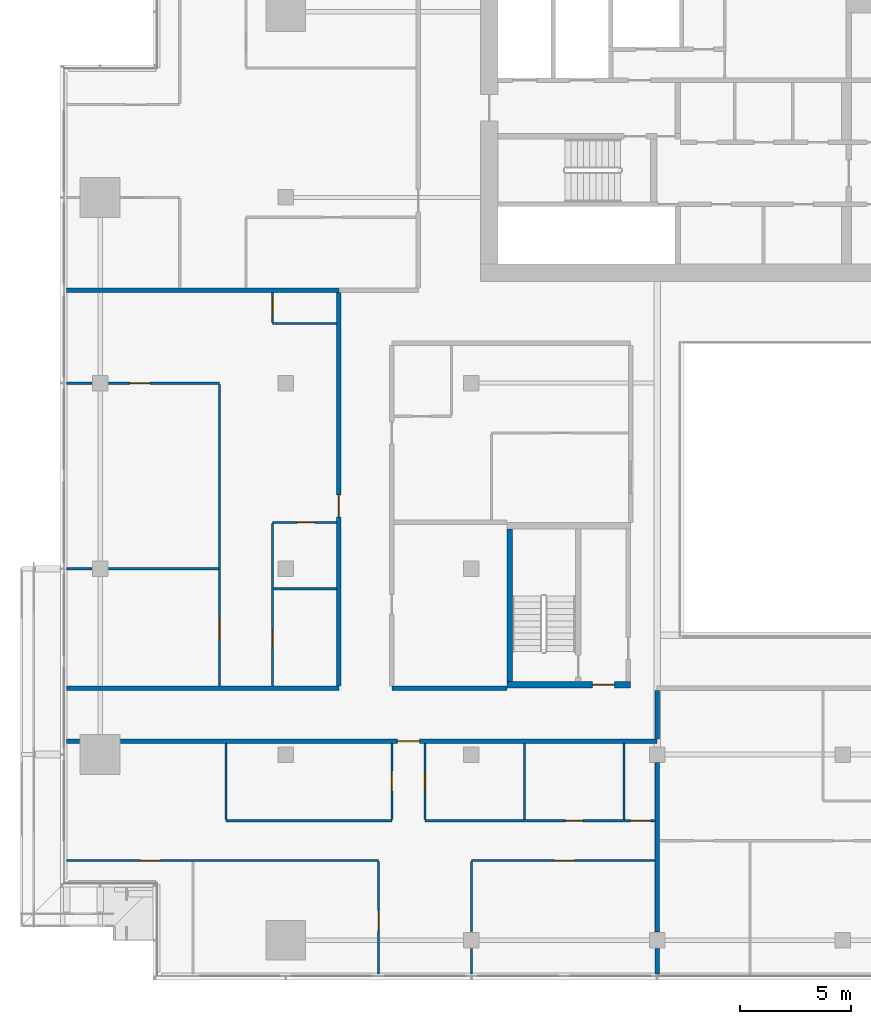
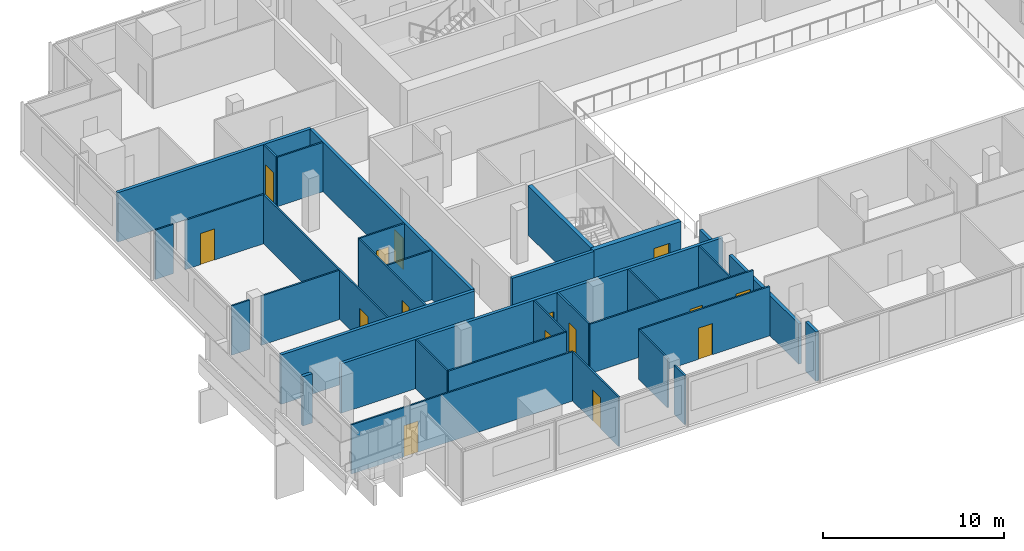
# One storey, part 16 of 29: 33 walls, 15 doors, 15 openings.
"""IFC4 building model written with IfcOpenShell, lengths in metres."""

from ifc_helpers import new_model, si_unit, direction, frame, frame_2d, origin, place, context, subcontext, project, spatial, rectangle, extrude, material, layer, layer_set, type_object, element, fill, save


model = new_model("IFC4")

# Units and contexts
model_context = context("Model", 3, precision=1e-05, world=origin(), true_north=direction((0.0, 1.0)))
body_context = subcontext(model_context, "Body", "Model", "MODEL_VIEW")
ifc_project = project(units=[si_unit("LENGTHUNIT", "METRE"), si_unit("AREAUNIT", "SQUARE_METRE"), si_unit("VOLUMEUNIT", "CUBIC_METRE"), si_unit("PLANEANGLEUNIT", "RADIAN"), si_unit("MASSUNIT", "GRAM", prefix="KILO")], contexts=[model_context])

# Site, building, storey
site_placement = place(None, origin())
site = spatial("IfcSite", under=ifc_project, at=site_placement, CompositionType="ELEMENT")
building_placement = place(site_placement, origin())
building = spatial("IfcBuilding", under=site, at=building_placement, Name="Saffron Gate Tower", CompositionType="ELEMENT")
storey_placement = place(building_placement, frame((0.0, 0.0, 187.050048828125)))
storey = spatial("IfcBuildingStorey", under=building, at=storey_placement, Name="L46", CompositionType="ELEMENT", Elevation=187.050048828125)

# Wall
ifc_material_1 = material(Name="Concrete C60", Category="concrete")
ifc_layer_1 = layer(ifc_material_1, 0.25)
ifc_layer_set_1 = layer_set([ifc_layer_1], Name="CW14 RC core wall 250 C60")
wall_type_1 = type_object("IfcWallType", Name="CW14 RC core wall 250 C60", PredefinedType="SOLIDWALL", material=ifc_layer_set_1)
wall_1_placement = place(storey_placement, frame((68.324951171875, 43.5, 0.0), z_axis=(0.0, 0.0, 1.0), x_axis=(0.0, 1.0, 0.0)))
element("IfcWall", 1, at=wall_1_placement, inside=storey, type_object=wall_type_1, Name="Wall CW14-L46-D-2", PredefinedType="SOLIDWALL", context=body_context, shape_type="SweptSolid", body=[
    extrude(rectangle(XDim=6.89990234375, YDim=0.25, at=frame_2d((3.449951171875, 0.0))), origin(), (0.0, 0.0, 1.0), 3.320068359375),
])

# Wall, opening, door
ifc_layer_2 = layer(ifc_material_1, 0.300048828125)
ifc_layer_set_2 = layer_set([ifc_layer_2], Name="CW17 RC core wall 300 C60")
wall_type_2 = type_object("IfcWallType", Name="CW17 RC core wall 300 C60", PredefinedType="SOLIDWALL", material=ifc_layer_set_2)
wall_2_placement = place(storey_placement, frame((68.199951171875, 43.35009765625, 0.0), z_axis=(0.0, 0.0, 1.0), x_axis=(1.0, 0.0, 0.0)))
wall_2 = element("IfcWall", 2, at=wall_2_placement, inside=storey, type_object=wall_type_2, Name="Wall CW17-L46-D-1", PredefinedType="SOLIDWALL", context=body_context, shape_type="SweptSolid", body=[
    extrude(rectangle(XDim=5.60009765625, YDim=0.300048828125, at=frame_2d((2.800048828125, 0.0))), origin(), (0.0, 0.0, 1.0), 3.320068359375),
])
opening_1_placement = place(wall_2_placement, frame((3.875, 0.0, 0.0)))
opening_1 = element("IfcOpeningElement", 3, at=opening_1_placement, cuts=wall_2, Name="Opening CR-18", PredefinedType="OPENING", context=body_context, shape_type="SweptSolid", body=[
    extrude(rectangle(XDim=1.0, YDim=2.10009765625, at=frame_2d((0.5, 1.050048828125))), frame((0.0, 0.16015625, 0.0), z_axis=(0.0, -1.0, 0.0), x_axis=(1.0, 0.0, 0.0)), (0.0, 0.0, 1.0), 0.320068359375),
])
ifc_material_2 = material(Name="Steel fire door set", Category="steel")
door_type_1 = type_object("IfcDoorType", Name="CD4 Lobby door 1000x2100 EI 120", OperationType="NOTDEFINED", PredefinedType="DOOR", material=ifc_material_2)
door_1_placement = place(opening_1_placement, origin())
door_1 = element("IfcDoor", 4, at=door_1_placement, inside=storey, type_object=door_type_1, Name="DOOR CR-18", OperationType="SINGLE_SWING_RIGHT", OverallHeight=2.10009765625, OverallWidth=1.0, PredefinedType="DOOR", context=body_context, shape_type="SweptSolid", body=[
    extrude(rectangle(XDim=1.0, YDim=2.10009765625, at=frame_2d((0.5, 1.050048828125))), frame((0.0, 0.02490234375, 0.0), z_axis=(0.0, -1.0, 0.0), x_axis=(1.0, 0.0, 0.0)), (0.0, 0.0, 1.0), 0.050048828125),
])
fill(opening_1, door_1)

ifc_material_3 = material(Name="Plasterboard on steel studs", Category="steel")
ifc_layer_3 = layer(ifc_material_3, 0.10009765625)
ifc_layer_set_3 = layer_set([ifc_layer_3], Name="PW1 Partition 100")
wall_type_3 = type_object("IfcWallType", Name="PW1 Partition 100", PredefinedType="PARTITIONING", material=ifc_layer_set_3)
wall_3_placement = place(storey_placement, frame((62.39990234375, 35.39990234375, 0.0), z_axis=(0.0, 0.0, 1.0), x_axis=(-1.0, 0.0, 0.0)))
wall_3 = element("IfcWall", 5, at=wall_3_placement, inside=storey, type_object=wall_type_3, Name="Partition C4-3", PredefinedType="PARTITIONING", context=body_context, shape_type="SweptSolid", body=[
    extrude(rectangle(XDim=14.119873046875, YDim=0.10009765625, at=frame_2d((7.06005859375, 0.0))), origin(), (0.0, 0.0, 1.0), 3.320068359375),
])
opening_2_placement = place(wall_3_placement, frame((9.87451171875, 0.0, 0.0)))
opening_2 = element("IfcOpeningElement", 6, at=opening_2_placement, cuts=wall_3, Name="Opening C4-10", PredefinedType="OPENING", context=body_context, shape_type="SweptSolid", body=[
    extrude(rectangle(XDim=0.89990234375, YDim=2.10009765625, at=frame_2d((0.449951171875, 1.050048828125))), frame((0.0, 0.06005859375, 0.0), z_axis=(0.0, -1.0, 0.0), x_axis=(1.0, 0.0, 0.0)), (0.0, 0.0, 1.0), 0.1201171875),
])
ifc_material_4 = material(Name="Timber door set", Category="wood")
door_type_2 = type_object("IfcDoorType", Name="RD1 Room door 900x2100", OperationType="NOTDEFINED", PredefinedType="DOOR", material=ifc_material_4)
door_2_placement = place(opening_2_placement, origin())
door_2 = element("IfcDoor", 7, at=door_2_placement, inside=storey, type_object=door_type_2, Name="Door C4-10", OperationType="SINGLE_SWING_LEFT", OverallHeight=2.10009765625, OverallWidth=0.89990234375, PredefinedType="DOOR", context=body_context, shape_type="SweptSolid", body=[
    extrude(rectangle(XDim=0.89990234375, YDim=2.10009765625, at=frame_2d((0.449951171875, 1.050048828125))), frame((0.0, 0.02490234375, 0.0), z_axis=(0.0, -1.0, 0.0), x_axis=(1.0, 0.0, 0.0)), (0.0, 0.0, 1.0), 0.050048828125),
])
fill(opening_2, door_2)

wall_4_placement = place(storey_placement, frame((74.89990234375, 35.39990234375, 0.0), z_axis=(0.0, 0.0, 1.0), x_axis=(-1.0, 0.0, 0.0)))
wall_4 = element("IfcWall", 8, at=wall_4_placement, inside=storey, type_object=wall_type_3, Name="Partition C4-4", PredefinedType="PARTITIONING", context=body_context, shape_type="SweptSolid", body=[
    extrude(rectangle(XDim=8.2998046875, YDim=0.10009765625, at=frame_2d((4.14990234375, 0.0))), origin(), (0.0, 0.0, 1.0), 3.320068359375),
])
opening_3_placement = place(wall_4_placement, frame((3.64990234375, 0.0, 0.0)))
opening_3 = element("IfcOpeningElement", 9, at=opening_3_placement, cuts=wall_4, Name="Opening C4-12", PredefinedType="OPENING", context=body_context, shape_type="SweptSolid", body=[
    extrude(rectangle(XDim=0.89990234375, YDim=2.10009765625, at=frame_2d((0.449951171875, 1.050048828125))), frame((0.0, 0.06005859375, 0.0), z_axis=(0.0, -1.0, 0.0), x_axis=(1.0, 0.0, 0.0)), (0.0, 0.0, 1.0), 0.1201171875),
])
door_3_placement = place(opening_3_placement, origin())
door_3 = element("IfcDoor", 10, at=door_3_placement, inside=storey, type_object=door_type_2, Name="Door C4-12", OperationType="SINGLE_SWING_LEFT", OverallHeight=2.10009765625, OverallWidth=0.89990234375, PredefinedType="DOOR", context=body_context, shape_type="SweptSolid", body=[
    extrude(rectangle(XDim=0.89990234375, YDim=2.10009765625, at=frame_2d((0.449951171875, 1.050048828125))), frame((0.0, 0.02490234375, 0.0), z_axis=(0.0, -1.0, 0.0), x_axis=(1.0, 0.0, 0.0)), (0.0, 0.0, 1.0), 0.050048828125),
])
fill(opening_3, door_3)

# Wall
wall_5_placement = place(storey_placement, frame((55.5, 37.199951171875, 0.0), z_axis=(0.0, 0.0, 1.0), x_axis=(1.0, 0.0, 0.0)))
element("IfcWall", 11, at=wall_5_placement, inside=storey, type_object=wall_type_3, Name="Partition C4-8", PredefinedType="PARTITIONING", context=body_context, shape_type="SweptSolid", body=[
    extrude(rectangle(XDim=7.5, YDim=0.10009765625, at=frame_2d((3.75, 0.0))), origin(), (0.0, 0.0, 1.0), 3.320068359375),
])

# Wall, openings, doors
wall_6_placement = place(storey_placement, frame((64.5, 37.199951171875, 0.0), z_axis=(0.0, 0.0, 1.0), x_axis=(1.0, 0.0, 0.0)))
wall_6 = element("IfcWall", 12, at=wall_6_placement, inside=storey, type_object=wall_type_3, Name="Partition C4-9", PredefinedType="PARTITIONING", context=body_context, shape_type="SweptSolid", body=[
    extrude(rectangle(XDim=10.39990234375, YDim=0.10009765625, at=frame_2d((5.199951171875, 0.0))), origin(), (0.0, 0.0, 1.0), 3.320068359375),
])
opening_4_placement = place(wall_6_placement, frame((6.35009765625, 0.0, 0.0)))
opening_4 = element("IfcOpeningElement", 13, at=opening_4_placement, cuts=wall_6, Name="Opening C4-41", PredefinedType="OPENING", context=body_context, shape_type="SweptSolid", body=[
    extrude(rectangle(XDim=0.800048828125, YDim=2.10009765625, at=frame_2d((0.39990234375, 1.050048828125))), frame((0.0, 0.06005859375, 0.0), z_axis=(0.0, -1.0, 0.0), x_axis=(1.0, 0.0, 0.0)), (0.0, 0.0, 1.0), 0.1201171875),
])
opening_5_placement = place(wall_6_placement, frame((9.300048828125, 0.0, 0.0)))
opening_5 = element("IfcOpeningElement", 14, at=opening_5_placement, cuts=wall_6, Name="Opening C4-14", PredefinedType="OPENING", context=body_context, shape_type="SweptSolid", body=[
    extrude(rectangle(XDim=0.89990234375, YDim=2.10009765625, at=frame_2d((0.449951171875, 1.050048828125))), frame((0.0, 0.06005859375, 0.0), z_axis=(0.0, -1.0, 0.0), x_axis=(1.0, 0.0, 0.0)), (0.0, 0.0, 1.0), 0.1201171875),
])
door_4_placement = place(opening_5_placement, origin())
door_4 = element("IfcDoor", 15, at=door_4_placement, inside=storey, type_object=door_type_2, Name="Door C4-14", OperationType="SINGLE_SWING_RIGHT", OverallHeight=2.10009765625, OverallWidth=0.89990234375, PredefinedType="DOOR", context=body_context, shape_type="SweptSolid", body=[
    extrude(rectangle(XDim=0.89990234375, YDim=2.10009765625, at=frame_2d((0.449951171875, 1.050048828125))), frame((0.0, 0.02490234375, 0.0), z_axis=(0.0, -1.0, 0.0), x_axis=(1.0, 0.0, 0.0)), (0.0, 0.0, 1.0), 0.050048828125),
])
fill(opening_5, door_4)
door_type_3 = type_object("IfcDoorType", Name="RD2 Bathroom door 800x2100", OperationType="NOTDEFINED", PredefinedType="DOOR", material=ifc_material_4)
door_5_placement = place(opening_4_placement, origin())
door_5 = element("IfcDoor", 16, at=door_5_placement, inside=storey, type_object=door_type_3, Name="Door C4-41", OperationType="SINGLE_SWING_LEFT", OverallHeight=2.10009765625, OverallWidth=0.800048828125, PredefinedType="DOOR", context=body_context, shape_type="SweptSolid", body=[
    extrude(rectangle(XDim=0.800048828125, YDim=2.10009765625, at=frame_2d((0.39990234375, 1.050048828125))), frame((0.0, 0.02490234375, 0.0), z_axis=(0.0, -1.0, 0.0), x_axis=(1.0, 0.0, 0.0)), (0.0, 0.0, 1.0), 0.050048828125),
])
fill(opening_4, door_5)

# Walls
wall_7_placement = place(storey_placement, frame((57.64990234375, 47.699951171875, 0.0), z_axis=(0.0, 0.0, 1.0), x_axis=(1.0, 0.0, 0.0)))
element("IfcWall", 17, at=wall_7_placement, inside=storey, type_object=wall_type_3, Name="Partition C4-21", PredefinedType="PARTITIONING", context=body_context, shape_type="SweptSolid", body=[
    extrude(rectangle(XDim=2.85009765625, YDim=0.10009765625, at=frame_2d((1.425048828125, 0.0))), origin(), (0.0, 0.0, 1.0), 3.320068359375),
])
wall_8_placement = place(storey_placement, frame((48.280029296875, 48.60009765625, 0.0), z_axis=(0.0, 0.0, 1.0), x_axis=(1.0, 0.0, 0.0)))
element("IfcWall", 18, at=wall_8_placement, inside=storey, type_object=wall_type_3, Name="Partition C4-22", PredefinedType="PARTITIONING", context=body_context, shape_type="SweptSolid", body=[
    extrude(rectangle(XDim=1.14990234375, YDim=0.10009765625, at=frame_2d((0.574951171875, 0.0))), origin(), (0.0, 0.0, 1.0), 3.320068359375),
])
wall_9_placement = place(storey_placement, frame((50.169921875, 48.60009765625, 0.0), z_axis=(0.0, 0.0, 1.0), x_axis=(1.0, 0.0, 0.0)))
element("IfcWall", 19, at=wall_9_placement, inside=storey, type_object=wall_type_3, Name="Partition C4-23", PredefinedType="PARTITIONING", context=body_context, shape_type="SweptSolid", body=[
    extrude(rectangle(XDim=4.97998046875, YDim=0.10009765625, at=frame_2d((2.489990234375, 0.0))), origin(), (0.0, 0.0, 1.0), 3.320068359375),
])

# Wall, opening, door
wall_10_placement = place(storey_placement, frame((60.5, 50.699951171875, 0.0), z_axis=(0.0, 0.0, 1.0), x_axis=(-1.0, 0.0, 0.0)))
wall_10 = element("IfcWall", 20, at=wall_10_placement, inside=storey, type_object=wall_type_3, Name="Partition C4-29", PredefinedType="PARTITIONING", context=body_context, shape_type="SweptSolid", body=[
    extrude(rectangle(XDim=2.89990234375, YDim=0.10009765625, at=frame_2d((1.449951171875, 0.0))), origin(), (0.0, 0.0, 1.0), 3.320068359375),
])
opening_6_placement = place(wall_10_placement, frame((1.0, 0.0, 0.0)))
opening_6 = element("IfcOpeningElement", 21, at=opening_6_placement, cuts=wall_10, Name="Opening C4-47", PredefinedType="OPENING", context=body_context, shape_type="SweptSolid", body=[
    extrude(rectangle(XDim=0.800048828125, YDim=2.10009765625, at=frame_2d((0.39990234375, 1.050048828125))), frame((0.0, 0.06005859375, 0.0), z_axis=(0.0, -1.0, 0.0), x_axis=(1.0, 0.0, 0.0)), (0.0, 0.0, 1.0), 0.1201171875),
])
door_6_placement = place(opening_6_placement, origin())
door_6 = element("IfcDoor", 22, at=door_6_placement, inside=storey, type_object=door_type_3, Name="Door C4-47", OperationType="SINGLE_SWING_LEFT", OverallHeight=2.10009765625, OverallWidth=0.800048828125, PredefinedType="DOOR", context=body_context, shape_type="SweptSolid", body=[
    extrude(rectangle(XDim=0.800048828125, YDim=2.10009765625, at=frame_2d((0.39990234375, 1.050048828125))), frame((0.0, 0.02490234375, 0.0), z_axis=(0.0, -1.0, 0.0), x_axis=(1.0, 0.0, 0.0)), (0.0, 0.0, 1.0), 0.050048828125),
])
fill(opening_6, door_6)

# Wall
wall_11_placement = place(storey_placement, frame((48.280029296875, 57.0, 0.0), z_axis=(0.0, 0.0, 1.0), x_axis=(1.0, 0.0, 0.0)))
element("IfcWall", 23, at=wall_11_placement, inside=storey, type_object=wall_type_3, Name="Partition C4-37", PredefinedType="PARTITIONING", context=body_context, shape_type="SweptSolid", body=[
    extrude(rectangle(XDim=1.14990234375, YDim=0.10009765625, at=frame_2d((0.574951171875, 0.0))), origin(), (0.0, 0.0, 1.0), 3.320068359375),
])

# Wall, opening, door
wall_12_placement = place(storey_placement, frame((55.199951171875, 57.0, 0.0), z_axis=(0.0, 0.0, 1.0), x_axis=(-1.0, 0.0, 0.0)))
wall_12 = element("IfcWall", 24, at=wall_12_placement, inside=storey, type_object=wall_type_3, Name="Partition C4-38", PredefinedType="PARTITIONING", context=body_context, shape_type="SweptSolid", body=[
    extrude(rectangle(XDim=5.030029296875, YDim=0.10009765625, at=frame_2d((2.51513671875, 0.0))), origin(), (0.0, 0.0, 1.0), 3.320068359375),
])
opening_7_placement = place(wall_12_placement, frame((3.14990234375, 0.0, 0.0)))
opening_7 = element("IfcOpeningElement", 25, at=opening_7_placement, cuts=wall_12, Name="Opening C4-27", PredefinedType="OPENING", context=body_context, shape_type="SweptSolid", body=[
    extrude(rectangle(XDim=0.89990234375, YDim=2.10009765625, at=frame_2d((0.449951171875, 1.050048828125))), frame((0.0, 0.06005859375, 0.0), z_axis=(0.0, -1.0, 0.0), x_axis=(1.0, 0.0, 0.0)), (0.0, 0.0, 1.0), 0.1201171875),
])
door_7_placement = place(opening_7_placement, origin())
door_7 = element("IfcDoor", 26, at=door_7_placement, inside=storey, type_object=door_type_2, Name="Door C4-27", OperationType="SINGLE_SWING_RIGHT", OverallHeight=2.10009765625, OverallWidth=0.89990234375, PredefinedType="DOOR", context=body_context, shape_type="SweptSolid", body=[
    extrude(rectangle(XDim=0.89990234375, YDim=2.10009765625, at=frame_2d((0.449951171875, 1.050048828125))), frame((0.0, 0.02490234375, 0.0), z_axis=(0.0, -1.0, 0.0), x_axis=(1.0, 0.0, 0.0)), (0.0, 0.0, 1.0), 0.050048828125),
])
fill(opening_7, door_7)

# Wall
wall_13_placement = place(storey_placement, frame((57.60009765625, 59.699951171875, 0.0), z_axis=(0.0, 0.0, 1.0), x_axis=(1.0, 0.0, 0.0)))
element("IfcWall", 27, at=wall_13_placement, inside=storey, type_object=wall_type_3, Name="Partition C4-42", PredefinedType="PARTITIONING", context=body_context, shape_type="SweptSolid", body=[
    extrude(rectangle(XDim=2.89990234375, YDim=0.10009765625, at=frame_2d((1.449951171875, 0.0))), origin(), (0.0, 0.0, 1.0), 3.320068359375),
])

# Wall, opening, door
wall_14_placement = place(storey_placement, frame((55.199951171875, 43.300048828125, 0.0), z_axis=(0.0, 0.0, 1.0), x_axis=(0.0, 1.0, 0.0)))
wall_14 = element("IfcWall", 28, at=wall_14_placement, inside=storey, type_object=wall_type_3, Name="Partition C4-60", PredefinedType="PARTITIONING", context=body_context, shape_type="SweptSolid", body=[
    extrude(rectangle(XDim=13.64990234375, YDim=0.10009765625, at=frame_2d((6.824951171875, 0.0))), origin(), (0.0, 0.0, 1.0), 3.320068359375),
])
opening_8_placement = place(wall_14_placement, frame((2.14990234375, 0.0, 0.0)))
opening_8 = element("IfcOpeningElement", 29, at=opening_8_placement, cuts=wall_14, Name="Opening C4-26", PredefinedType="OPENING", context=body_context, shape_type="SweptSolid", body=[
    extrude(rectangle(XDim=0.89990234375, YDim=2.10009765625, at=frame_2d((0.449951171875, 1.050048828125))), frame((0.0, 0.06005859375, 0.0), z_axis=(0.0, -1.0, 0.0), x_axis=(1.0, 0.0, 0.0)), (0.0, 0.0, 1.0), 0.1201171875),
])
door_8_placement = place(opening_8_placement, origin())
door_8 = element("IfcDoor", 30, at=door_8_placement, inside=storey, type_object=door_type_2, Name="Door C4-26", OperationType="SINGLE_SWING_LEFT", OverallHeight=2.10009765625, OverallWidth=0.89990234375, PredefinedType="DOOR", context=body_context, shape_type="SweptSolid", body=[
    extrude(rectangle(XDim=0.89990234375, YDim=2.10009765625, at=frame_2d((0.449951171875, 1.050048828125))), frame((0.0, 0.02490234375, 0.0), z_axis=(0.0, -1.0, 0.0), x_axis=(1.0, 0.0, 0.0)), (0.0, 0.0, 1.0), 0.050048828125),
])
fill(opening_8, door_8)

# Wall
wall_15_placement = place(storey_placement, frame((55.5, 40.699951171875, 0.0), z_axis=(0.0, 0.0, 1.0), x_axis=(0.0, -1.0, 0.0)))
element("IfcWall", 31, at=wall_15_placement, inside=storey, type_object=wall_type_3, Name="Partition C4-61", PredefinedType="PARTITIONING", context=body_context, shape_type="SweptSolid", body=[
    extrude(rectangle(XDim=3.449951171875, YDim=0.10009765625, at=frame_2d((1.72509765625, 0.0))), origin(), (0.0, 0.0, 1.0), 3.320068359375),
])

# Wall, opening, door
wall_16_placement = place(storey_placement, frame((57.60009765625, 50.64990234375, 0.0), z_axis=(0.0, 0.0, 1.0), x_axis=(0.0, -1.0, 0.0)))
wall_16 = element("IfcWall", 32, at=wall_16_placement, inside=storey, type_object=wall_type_3, Name="Partition C4-64", PredefinedType="PARTITIONING", context=body_context, shape_type="SweptSolid", body=[
    extrude(rectangle(XDim=7.349853515625, YDim=0.10009765625, at=frame_2d((3.6748046875, 0.0))), origin(), (0.0, 0.0, 1.0), 3.320068359375),
])
opening_9_placement = place(wall_16_placement, frame((4.800048828125, 0.0, 0.0)))
opening_9 = element("IfcOpeningElement", 33, at=opening_9_placement, cuts=wall_16, Name="Opening C4-46", PredefinedType="OPENING", context=body_context, shape_type="SweptSolid", body=[
    extrude(rectangle(XDim=0.800048828125, YDim=2.10009765625, at=frame_2d((0.39990234375, 1.050048828125))), frame((0.0, 0.06005859375, 0.0), z_axis=(0.0, -1.0, 0.0), x_axis=(1.0, 0.0, 0.0)), (0.0, 0.0, 1.0), 0.1201171875),
])
door_9_placement = place(opening_9_placement, origin())
door_9 = element("IfcDoor", 34, at=door_9_placement, inside=storey, type_object=door_type_3, Name="Door C4-46", OperationType="SINGLE_SWING_RIGHT", OverallHeight=2.10009765625, OverallWidth=0.800048828125, PredefinedType="DOOR", context=body_context, shape_type="SweptSolid", body=[
    extrude(rectangle(XDim=0.800048828125, YDim=2.10009765625, at=frame_2d((0.39990234375, 1.050048828125))), frame((0.0, 0.02490234375, 0.0), z_axis=(0.0, -1.0, 0.0), x_axis=(1.0, 0.0, 0.0)), (0.0, 0.0, 1.0), 0.050048828125),
])
fill(opening_9, door_9)

wall_17_placement = place(storey_placement, frame((57.60009765625, 61.10009765625, 0.0), z_axis=(0.0, 0.0, 1.0), x_axis=(0.0, -1.0, 0.0)))
wall_17 = element("IfcWall", 35, at=wall_17_placement, inside=storey, type_object=wall_type_3, Name="Partition C4-65", PredefinedType="PARTITIONING", context=body_context, shape_type="SweptSolid", body=[
    extrude(rectangle(XDim=1.35009765625, YDim=0.10009765625, at=frame_2d((0.675048828125, 0.0))), origin(), (0.0, 0.0, 1.0), 3.320068359375),
])
opening_10_placement = place(wall_17_placement, frame((0.199951171875, 0.0, 0.0)))
opening_10 = element("IfcOpeningElement", 36, at=opening_10_placement, cuts=wall_17, Name="Opening C4-28", PredefinedType="OPENING", context=body_context, shape_type="SweptSolid", body=[
    extrude(rectangle(XDim=0.89990234375, YDim=2.10009765625, at=frame_2d((0.449951171875, 1.050048828125))), frame((0.0, 0.06005859375, 0.0), z_axis=(0.0, -1.0, 0.0), x_axis=(1.0, 0.0, 0.0)), (0.0, 0.0, 1.0), 0.1201171875),
])
door_10_placement = place(opening_10_placement, origin())
door_10 = element("IfcDoor", 37, at=door_10_placement, inside=storey, type_object=door_type_2, Name="Door C4-28", OperationType="SINGLE_SWING_LEFT", OverallHeight=2.10009765625, OverallWidth=0.89990234375, PredefinedType="DOOR", context=body_context, shape_type="SweptSolid", body=[
    extrude(rectangle(XDim=0.89990234375, YDim=2.10009765625, at=frame_2d((0.449951171875, 1.050048828125))), frame((0.0, 0.02490234375, 0.0), z_axis=(0.0, -1.0, 0.0), x_axis=(1.0, 0.0, 0.0)), (0.0, 0.0, 1.0), 0.050048828125),
])
fill(opening_10, door_10)

wall_18_placement = place(storey_placement, frame((62.39990234375, 30.280029296875, 0.0), z_axis=(0.0, 0.0, 1.0), x_axis=(0.0, 1.0, 0.0)))
wall_18 = element("IfcWall", 38, at=wall_18_placement, inside=storey, type_object=wall_type_3, Name="Partition C4-67", PredefinedType="PARTITIONING", context=body_context, shape_type="SweptSolid", body=[
    extrude(rectangle(XDim=5.070068359375, YDim=0.10009765625, at=frame_2d((2.53515625, 0.0))), origin(), (0.0, 0.0, 1.0), 3.320068359375),
])
opening_11_placement = place(wall_18_placement, frame((1.969970703125, 0.0, 0.0)))
opening_11 = element("IfcOpeningElement", 39, at=opening_11_placement, cuts=wall_18, Name="Opening C4-11", PredefinedType="OPENING", context=body_context, shape_type="SweptSolid", body=[
    extrude(rectangle(XDim=0.89990234375, YDim=2.10009765625, at=frame_2d((0.449951171875, 1.050048828125))), frame((0.0, 0.06005859375, 0.0), z_axis=(0.0, -1.0, 0.0), x_axis=(1.0, 0.0, 0.0)), (0.0, 0.0, 1.0), 0.1201171875),
])
door_11_placement = place(opening_11_placement, origin())
door_11 = element("IfcDoor", 40, at=door_11_placement, inside=storey, type_object=door_type_2, Name="Door C4-11", OperationType="SINGLE_SWING_LEFT", OverallHeight=2.10009765625, OverallWidth=0.89990234375, PredefinedType="DOOR", context=body_context, shape_type="SweptSolid", body=[
    extrude(rectangle(XDim=0.89990234375, YDim=2.10009765625, at=frame_2d((0.449951171875, 1.050048828125))), frame((0.0, 0.02490234375, 0.0), z_axis=(0.0, -1.0, 0.0), x_axis=(1.0, 0.0, 0.0)), (0.0, 0.0, 1.0), 0.050048828125),
])
fill(opening_11, door_11)

wall_19_placement = place(storey_placement, frame((63.0, 37.25, 0.0), z_axis=(0.0, 0.0, 1.0), x_axis=(0.0, 1.0, 0.0)))
wall_19 = element("IfcWall", 41, at=wall_19_placement, inside=storey, type_object=wall_type_3, Name="Partition C4-69", PredefinedType="PARTITIONING", context=body_context, shape_type="SweptSolid", body=[
    extrude(rectangle(XDim=3.449951171875, YDim=0.10009765625, at=frame_2d((1.72509765625, 0.0))), origin(), (0.0, 0.0, 1.0), 3.320068359375),
])
opening_12_placement = place(wall_19_placement, frame((1.300048828125, 0.0, 0.0)))
opening_12 = element("IfcOpeningElement", 42, at=opening_12_placement, cuts=wall_19, Name="Opening C4-13", PredefinedType="OPENING", context=body_context, shape_type="SweptSolid", body=[
    extrude(rectangle(XDim=0.89990234375, YDim=2.10009765625, at=frame_2d((0.449951171875, 1.050048828125))), frame((0.0, 0.06005859375, 0.0), z_axis=(0.0, -1.0, 0.0), x_axis=(1.0, 0.0, 0.0)), (0.0, 0.0, 1.0), 0.1201171875),
])
door_12_placement = place(opening_12_placement, origin())
door_12 = element("IfcDoor", 43, at=door_12_placement, inside=storey, type_object=door_type_2, Name="Door C4-13", OperationType="SINGLE_SWING_RIGHT", OverallHeight=2.10009765625, OverallWidth=0.89990234375, PredefinedType="DOOR", context=body_context, shape_type="SweptSolid", body=[
    extrude(rectangle(XDim=0.89990234375, YDim=2.10009765625, at=frame_2d((0.449951171875, 1.050048828125))), frame((0.0, 0.02490234375, 0.0), z_axis=(0.0, -1.0, 0.0), x_axis=(1.0, 0.0, 0.0)), (0.0, 0.0, 1.0), 0.050048828125),
])
fill(opening_12, door_12)

wall_20_placement = place(storey_placement, frame((64.5, 40.699951171875, 0.0), z_axis=(0.0, 0.0, 1.0), x_axis=(0.0, -1.0, 0.0)))
wall_20 = element("IfcWall", 44, at=wall_20_placement, inside=storey, type_object=wall_type_3, Name="Partition C4-71", PredefinedType="PARTITIONING", context=body_context, shape_type="SweptSolid", body=[
    extrude(rectangle(XDim=3.449951171875, YDim=0.10009765625, at=frame_2d((1.72509765625, 0.0))), origin(), (0.0, 0.0, 1.0), 3.320068359375),
])
opening_13_placement = place(wall_20_placement, frame((1.300048828125, 0.0, 0.0)))
opening_13 = element("IfcOpeningElement", 45, at=opening_13_placement, cuts=wall_20, Name="Opening C4-40", PredefinedType="OPENING", context=body_context, shape_type="SweptSolid", body=[
    extrude(rectangle(XDim=0.800048828125, YDim=2.10009765625, at=frame_2d((0.39990234375, 1.050048828125))), frame((0.0, 0.06005859375, 0.0), z_axis=(0.0, -1.0, 0.0), x_axis=(1.0, 0.0, 0.0)), (0.0, 0.0, 1.0), 0.1201171875),
])
door_13_placement = place(opening_13_placement, origin())
door_13 = element("IfcDoor", 46, at=door_13_placement, inside=storey, type_object=door_type_3, Name="Door C4-40", OperationType="SINGLE_SWING_LEFT", OverallHeight=2.10009765625, OverallWidth=0.800048828125, PredefinedType="DOOR", context=body_context, shape_type="SweptSolid", body=[
    extrude(rectangle(XDim=0.800048828125, YDim=2.10009765625, at=frame_2d((0.39990234375, 1.050048828125))), frame((0.0, 0.02490234375, 0.0), z_axis=(0.0, -1.0, 0.0), x_axis=(1.0, 0.0, 0.0)), (0.0, 0.0, 1.0), 0.050048828125),
])
fill(opening_13, door_13)

# Walls
wall_21_placement = place(storey_placement, frame((66.60009765625, 31.429931640625, 0.0), z_axis=(0.0, 0.0, 1.0), x_axis=(0.0, -1.0, 0.0)))
element("IfcWall", 47, at=wall_21_placement, inside=storey, type_object=wall_type_3, Name="Partition C4-73", PredefinedType="PARTITIONING", context=body_context, shape_type="SweptSolid", body=[
    extrude(rectangle(XDim=1.14990234375, YDim=0.10009765625, at=frame_2d((0.574951171875, 0.0))), origin(), (0.0, 0.0, 1.0), 3.320068359375),
])
wall_22_placement = place(storey_placement, frame((66.60009765625, 35.35009765625, 0.0), z_axis=(0.0, 0.0, 1.0), x_axis=(0.0, -1.0, 0.0)))
element("IfcWall", 48, at=wall_22_placement, inside=storey, type_object=wall_type_3, Name="Partition C4-74", PredefinedType="PARTITIONING", context=body_context, shape_type="SweptSolid", body=[
    extrude(rectangle(XDim=3.18017578125, YDim=0.10009765625, at=frame_2d((1.590087890625, 0.0))), origin(), (0.0, 0.0, 1.0), 3.320068359375),
])
for number, where, z_axis, x_axis, name in (
    (49, (69.0, 40.699951171875, 0.0), (0.0, 0.0, 1.0), (0.0, -1.0, 0.0), "Partition C4-76"),
    (50, (73.5, 40.699951171875, 0.0), (0.0, 0.0, 1.0), (0.0, -1.0, 0.0), "Partition C4-77"),
):
    element("IfcWall", number, at=place(storey_placement, frame(where, z_axis=z_axis, x_axis=x_axis)), inside=storey, type_object=wall_type_3, Name=name, PredefinedType="PARTITIONING", context=body_context, shape_type="SweptSolid", body=[
        extrude(rectangle(XDim=3.449951171875, YDim=0.10009765625, at=frame_2d((1.72509765625, 0.0))), origin(), (0.0, 0.0, 1.0), 3.320068359375),
    ])
ifc_material_5 = material(Name="Clay brick masonry, rendered", Category="masonry")
ifc_layer_4 = layer(ifc_material_5, 0.199951171875)
ifc_layer_set_4 = layer_set([ifc_layer_4], Name="PW2 Demising wall 200")
wall_type_4 = type_object("IfcWallType", Name="PW2 Demising wall 200", PredefinedType="PARTITIONING", material=ifc_layer_set_4)
wall_23_placement = place(storey_placement, frame((48.280029296875, 61.199951171875, 0.0), z_axis=(0.0, 0.0, 1.0), x_axis=(1.0, 0.0, 0.0)))
element("IfcWall", 51, at=wall_23_placement, inside=storey, type_object=wall_type_4, Name="Wall C4-45", PredefinedType="PARTITIONING", context=body_context, shape_type="SweptSolid", body=[
    extrude(rectangle(XDim=12.320068359375, YDim=0.199951171875, at=frame_2d((6.16015625, 0.0))), origin(), (0.0, 0.0, 1.0), 3.320068359375),
])
wall_24_placement = place(storey_placement, frame((75.0, 31.429931640625, 0.0), z_axis=(0.0, 0.0, 1.0), x_axis=(0.0, -1.0, 0.0)))
element("IfcWall", 52, at=wall_24_placement, inside=storey, type_object=wall_type_4, Name="Wall C4-80", PredefinedType="PARTITIONING", context=body_context, shape_type="SweptSolid", body=[
    extrude(rectangle(XDim=1.14990234375, YDim=0.199951171875, at=frame_2d((0.574951171875, 0.0))), origin(), (0.0, 0.0, 1.0), 3.320068359375),
])
wall_25_placement = place(storey_placement, frame((75.0, 39.830078125, 0.0), z_axis=(0.0, 0.0, 1.0), x_axis=(0.0, -1.0, 0.0)))
element("IfcWall", 53, at=wall_25_placement, inside=storey, type_object=wall_type_4, Name="Wall C4-81", PredefinedType="PARTITIONING", context=body_context, shape_type="SweptSolid", body=[
    extrude(rectangle(XDim=7.66015625, YDim=0.199951171875, at=frame_2d((3.830078125, 0.0))), origin(), (0.0, 0.0, 1.0), 2.719970703125),
])
ifc_layer_5 = layer(ifc_material_5, 0.199951171875)
ifc_layer_set_5 = layer_set([ifc_layer_5], Name="PW3 Corridor wall 200")
wall_type_5 = type_object("IfcWallType", Name="PW3 Corridor wall 200", PredefinedType="PARTITIONING", material=ifc_layer_set_5)
wall_26_placement = place(storey_placement, frame((48.280029296875, 40.800048828125, 0.0), z_axis=(0.0, 0.0, 1.0), x_axis=(1.0, 0.0, 0.0)))
element("IfcWall", 54, at=wall_26_placement, inside=storey, type_object=wall_type_5, Name="Wall C4-12", PredefinedType="PARTITIONING", context=body_context, shape_type="SweptSolid", body=[
    extrude(rectangle(XDim=0.599853515625, YDim=0.199951171875, at=frame_2d((0.2998046875, 0.0))), origin(), (0.0, 0.0, 1.0), 3.320068359375),
])

# Wall, opening, door
wall_27_placement = place(storey_placement, frame((75.0, 40.800048828125, 0.0), z_axis=(0.0, 0.0, 1.0), x_axis=(-1.0, 0.0, 0.0)))
wall_27 = element("IfcWall", 55, at=wall_27_placement, inside=storey, type_object=wall_type_5, Name="Wall C4-13", PredefinedType="PARTITIONING", context=body_context, shape_type="SweptSolid", body=[
    extrude(rectangle(XDim=24.280029296875, YDim=0.199951171875, at=frame_2d((12.14013671875, 0.0))), origin(), (0.0, 0.0, 1.0), 3.320068359375),
])
opening_14_placement = place(wall_27_placement, frame((10.75, 0.0, 0.0)))
opening_14 = element("IfcOpeningElement", 56, at=opening_14_placement, cuts=wall_27, Name="Opening C4-1", PredefinedType="OPENING", context=body_context, shape_type="SweptSolid", body=[
    extrude(rectangle(XDim=1.0, YDim=2.10009765625, at=frame_2d((0.5, 1.050048828125))), frame((0.0, 0.10986328125, 0.0), z_axis=(0.0, -1.0, 0.0), x_axis=(1.0, 0.0, 0.0)), (0.0, 0.0, 1.0), 0.219970703125),
])
ifc_material_6 = material(Name="Timber fire door set", Category="wood")
door_type_4 = type_object("IfcDoorType", Name="FD1 Flat entry door 1000x2100", OperationType="NOTDEFINED", PredefinedType="DOOR", material=ifc_material_6)
door_14_placement = place(opening_14_placement, origin())
door_14 = element("IfcDoor", 57, at=door_14_placement, inside=storey, type_object=door_type_4, Name="Door C4-1", OperationType="SINGLE_SWING_LEFT", OverallHeight=2.10009765625, OverallWidth=1.0, PredefinedType="DOOR", context=body_context, shape_type="SweptSolid", body=[
    extrude(rectangle(XDim=1.0, YDim=2.10009765625, at=frame_2d((0.5, 1.050048828125))), frame((0.0, 0.02490234375, 0.0), z_axis=(0.0, -1.0, 0.0), x_axis=(1.0, 0.0, 0.0)), (0.0, 0.0, 1.0), 0.050048828125),
])
fill(opening_14, door_14)

# Walls
wall_28_placement = place(storey_placement, frame((48.280029296875, 43.199951171875, 0.0), z_axis=(0.0, 0.0, 1.0), x_axis=(1.0, 0.0, 0.0)))
element("IfcWall", 58, at=wall_28_placement, inside=storey, type_object=wall_type_5, Name="Wall C4-16", PredefinedType="PARTITIONING", context=body_context, shape_type="SweptSolid", body=[
    extrude(rectangle(XDim=12.320068359375, YDim=0.199951171875, at=frame_2d((6.16015625, 0.0))), origin(), (0.0, 0.0, 1.0), 3.320068359375),
])
wall_29_placement = place(storey_placement, frame((63.0, 43.199951171875, 0.0), z_axis=(0.0, 0.0, 1.0), x_axis=(1.0, 0.0, 0.0)))
element("IfcWall", 59, at=wall_29_placement, inside=storey, type_object=wall_type_5, Name="Wall C4-17", PredefinedType="PARTITIONING", context=body_context, shape_type="SweptSolid", body=[
    extrude(rectangle(XDim=5.199951171875, YDim=0.199951171875, at=frame_2d((2.60009765625, 0.0))), origin(), (0.0, 0.0, 1.0), 3.320068359375),
])

# Wall, opening, door
wall_30_placement = place(storey_placement, frame((60.60009765625, 43.300048828125, 0.0), z_axis=(0.0, 0.0, 1.0), x_axis=(0.0, 1.0, 0.0)))
wall_30 = element("IfcWall", 60, at=wall_30_placement, inside=storey, type_object=wall_type_5, Name="Wall C4-66", PredefinedType="PARTITIONING", context=body_context, shape_type="SweptSolid", body=[
    extrude(rectangle(XDim=17.800048828125, YDim=0.199951171875, at=frame_2d((8.89990234375, 0.0))), origin(), (0.0, 0.0, 1.0), 3.320068359375),
])
opening_15_placement = place(wall_30_placement, frame((7.64990234375, 0.0, 0.0)))
opening_15 = element("IfcOpeningElement", 61, at=opening_15_placement, cuts=wall_30, Name="Opening C4-4", PredefinedType="OPENING", context=body_context, shape_type="SweptSolid", body=[
    extrude(rectangle(XDim=1.0, YDim=2.10009765625, at=frame_2d((0.5, 1.050048828125))), frame((0.0, 0.10986328125, 0.0), z_axis=(0.0, -1.0, 0.0), x_axis=(1.0, 0.0, 0.0)), (0.0, 0.0, 1.0), 0.219970703125),
])
door_15_placement = place(opening_15_placement, origin())
door_15 = element("IfcDoor", 62, at=door_15_placement, inside=storey, type_object=door_type_4, Name="Door C4-4", OperationType="SINGLE_SWING_RIGHT", OverallHeight=2.10009765625, OverallWidth=1.0, PredefinedType="DOOR", context=body_context, shape_type="SweptSolid", body=[
    extrude(rectangle(XDim=1.0, YDim=2.10009765625, at=frame_2d((0.5, 1.050048828125))), frame((0.0, 0.02490234375, 0.0), z_axis=(0.0, -1.0, 0.0), x_axis=(1.0, 0.0, 0.0)), (0.0, 0.0, 1.0), 0.050048828125),
])
fill(opening_15, door_15)

# Wall
wall_31_placement = place(storey_placement, frame((75.0, 43.10009765625, 0.0), z_axis=(0.0, 0.0, 1.0), x_axis=(0.0, -1.0, 0.0)))
element("IfcWall", 63, at=wall_31_placement, inside=storey, type_object=wall_type_5, Name="Wall C4-79", PredefinedType="PARTITIONING", context=body_context, shape_type="SweptSolid", body=[
    extrude(rectangle(XDim=2.2001953125, YDim=0.199951171875, at=frame_2d((1.10009765625, 0.0))), origin(), (0.0, 0.0, 1.0), 2.429931640625),
])

save(model, "model.ifc")
